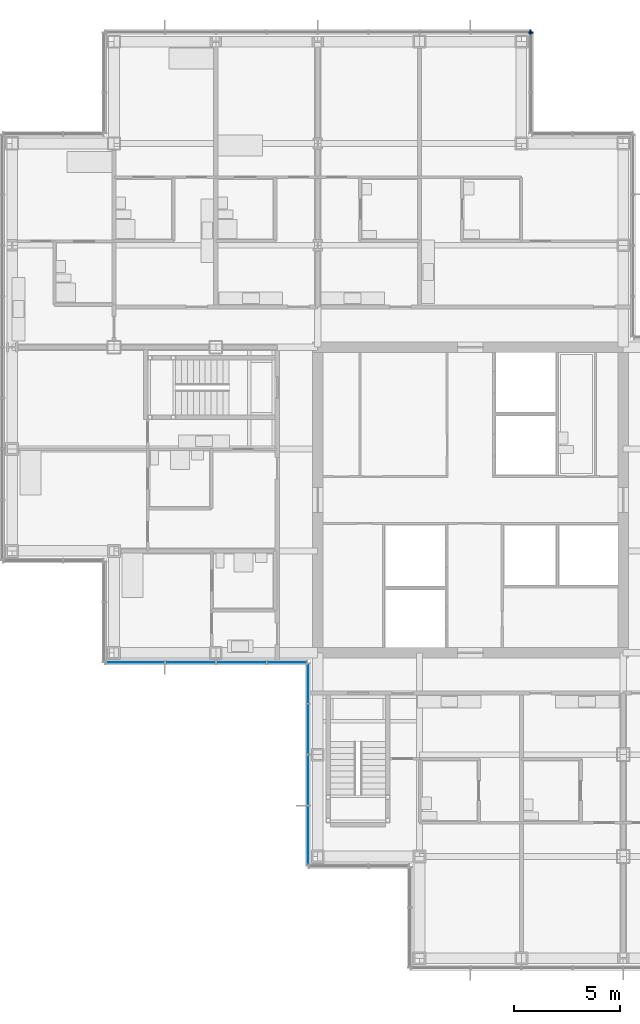
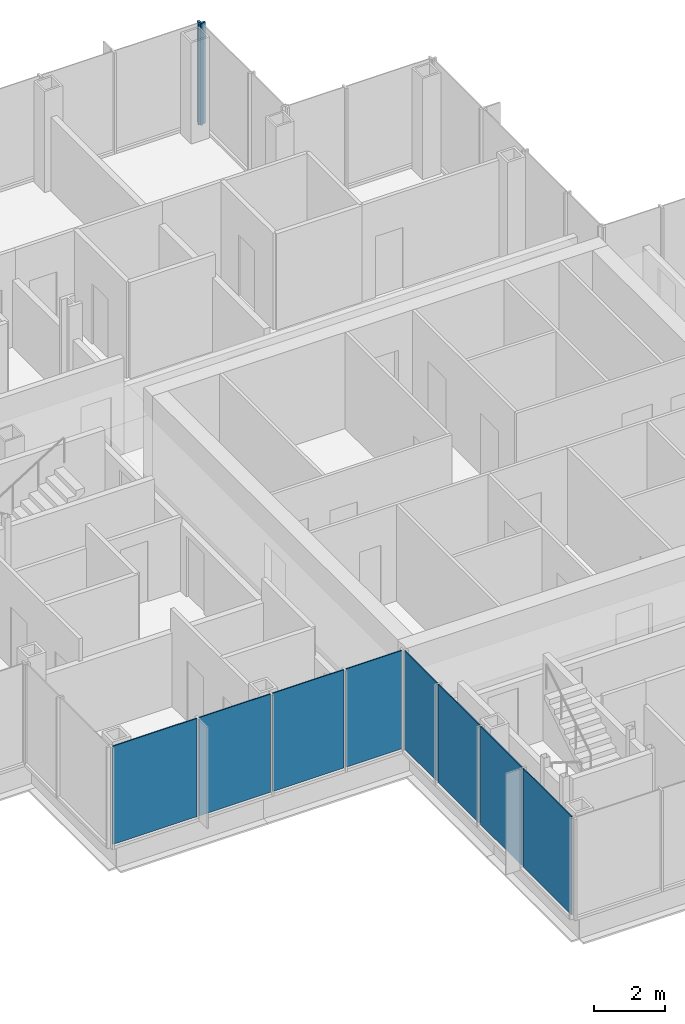
# One storey, part 11 of 20: 8 plates, 2 members, 4 elements without a shape of their own.
"""IFC4 building model written with IfcOpenShell, lengths in metres."""

from ifc_helpers import new_model, si_unit, direction, frame, origin, origin_2d, place, context, subcontext, project, spatial, rectangle, extrude, material, layer, layer_set, material_profile, profile_set, type_object, element, aggregate, save


model = new_model("IFC4")

# Units and contexts
model_context = context("Model", 3, precision=1e-05, world=origin(), true_north=direction((0.0, 1.0)))
body_context = subcontext(model_context, "Body", "Model", "MODEL_VIEW")
ifc_project = project(units=[si_unit("LENGTHUNIT", "METRE"), si_unit("AREAUNIT", "SQUARE_METRE"), si_unit("VOLUMEUNIT", "CUBIC_METRE"), si_unit("PLANEANGLEUNIT", "RADIAN"), si_unit("MASSUNIT", "GRAM", prefix="KILO")], contexts=[model_context])

# Site, building, storey
site_placement = place(None, origin())
site = spatial("IfcSite", under=ifc_project, at=site_placement, CompositionType="ELEMENT")
building_placement = place(site_placement, origin())
building = spatial("IfcBuilding", under=site, at=building_placement, Name="Kvirike Care Tower", CompositionType="ELEMENT")
storey_placement = place(building_placement, frame((0.0, 0.0, 112.0)))
storey = spatial("IfcBuildingStorey", under=building, at=storey_placement, Name="L30", CompositionType="ELEMENT", Elevation=112.0)

# Curtain wall, member
ifc_material_1 = material(Name="Anodised aluminium stick system", Category="aluminium")
curtain_wall_type = type_object("IfcCurtainWallType", Name="CW-B STICK CURTAIN WALL", PredefinedType="NOTDEFINED", material=ifc_material_1)
curtain_wall_1_placement = place(storey_placement, origin())
curtain_wall_1 = element("IfcCurtainWall", 1, at=curtain_wall_1_placement, inside=storey, type_object=curtain_wall_type, Name="Curtain wall L30 face 7", PredefinedType="NOTDEFINED")
ifc_material_2 = material(Name="Bronze anodised aluminium mullion", Category="aluminium")
ifc_material_profile = material_profile(ifc_material_2, rectangle(XDim=0.06494140625, YDim=0.219970703125, at=origin_2d()), Name="CW-B MULLION 65x220")
ifc_profile_set = profile_set([ifc_material_profile], Name="Bronze anodised aluminium mullion")
member_type = type_object("IfcMemberType", Name="CW-B MULLION 65x220", PredefinedType="MULLION", material=ifc_profile_set)
member_1_placement = place(storey_placement, frame((24.4599609375, 58.027587890625, 0.0), z_axis=(0.0, 0.0, 1.0), x_axis=(0.0, 1.0, 0.0)))
member_1 = element("IfcMember", 2, at=member_1_placement, type_object=member_type, Name="CW-B mullion L30 face 7.3", PredefinedType="MULLION", context=body_context, shape_type="SweptSolid", body=[
    extrude(rectangle(XDim=0.06494140625, YDim=0.219970703125, at=origin_2d()), origin(), (0.0, 0.0, 1.0), 3.5),
])
aggregate(curtain_wall_1, [member_1])

curtain_wall_2_placement = place(storey_placement, origin())
curtain_wall_2 = element("IfcCurtainWall", 3, at=curtain_wall_2_placement, inside=storey, type_object=curtain_wall_type, Name="Curtain wall L30 face 8", PredefinedType="NOTDEFINED")
member_2_placement = place(storey_placement, frame((24.427490234375, 58.06005859375, 0.0), z_axis=(0.0, 0.0, 1.0), x_axis=(-1.0, 0.0, 0.0)))
member_2 = element("IfcMember", 4, at=member_2_placement, type_object=member_type, Name="CW-B mullion L30 face 8.1", PredefinedType="MULLION", context=body_context, shape_type="SweptSolid", body=[
    extrude(rectangle(XDim=0.06494140625, YDim=0.219970703125, at=origin_2d()), origin(), (0.0, 0.0, 1.0), 3.5),
])
aggregate(curtain_wall_2, [member_2])

# Curtain wall, plates
curtain_wall_3_placement = place(storey_placement, origin())
curtain_wall_3 = element("IfcCurtainWall", 5, at=curtain_wall_3_placement, inside=storey, type_object=curtain_wall_type, Name="Curtain wall L30 face 14", PredefinedType="NOTDEFINED")
ifc_material_3 = material(Name="Tinted double glazed unit", Category="glass")
ifc_layer = layer(ifc_material_3, 0.035888671875)
ifc_layer_set = layer_set([ifc_layer], Name="TINTED VISION PANEL 36")
plate_type = type_object("IfcPlateType", Name="TINTED VISION PANEL 36", PredefinedType="CURTAIN_PANEL", material=ifc_layer_set)
plate_1_placement = place(storey_placement, frame((5.7861328125, 28.340087890625, 0.10009765625), z_axis=(0.0, 0.0, 1.0), x_axis=(1.0, 0.0, 0.0)))
plate_1 = element("IfcPlate", 6, at=plate_1_placement, type_object=plate_type, Name="CW-B panel L30 face 14.1", PredefinedType="CURTAIN_PANEL", context=body_context, shape_type="SweptSolid", body=[
    extrude(rectangle(XDim=2.762451171875, YDim=0.035888671875, at=origin_2d()), origin(), (0.0, 0.0, 1.0), 3.39990234375),
])
plate_2_placement = place(storey_placement, frame((8.39990234375, 28.340087890625, 0.10009765625), z_axis=(0.0, 0.0, 1.0), x_axis=(1.0, 0.0, 0.0)))
plate_2 = element("IfcPlate", 7, at=plate_2_placement, type_object=plate_type, Name="CW-B panel L30 face 14.2", PredefinedType="CURTAIN_PANEL", context=body_context, shape_type="SweptSolid", body=[
    extrude(rectangle(XDim=2.3349609375, YDim=0.035888671875, at=origin_2d()), origin(), (0.0, 0.0, 1.0), 3.39990234375),
])
plate_3_placement = place(storey_placement, frame((10.800048828125, 28.340087890625, 0.10009765625), z_axis=(0.0, 0.0, 1.0), x_axis=(1.0, 0.0, 0.0)))
plate_3 = element("IfcPlate", 8, at=plate_3_placement, type_object=plate_type, Name="CW-B panel L30 face 14.3", PredefinedType="CURTAIN_PANEL", context=body_context, shape_type="SweptSolid", body=[
    extrude(rectangle(XDim=2.3349609375, YDim=0.035888671875, at=origin_2d()), origin(), (0.0, 0.0, 1.0), 3.39990234375),
])
plate_4_placement = place(storey_placement, frame((12.953857421875, 28.340087890625, 0.10009765625), z_axis=(0.0, 0.0, 1.0), x_axis=(1.0, 0.0, 0.0)))
plate_4 = element("IfcPlate", 9, at=plate_4_placement, type_object=plate_type, Name="CW-B panel L30 face 14.4", PredefinedType="CURTAIN_PANEL", context=body_context, shape_type="SweptSolid", body=[
    extrude(rectangle(XDim=1.842529296875, YDim=0.035888671875, at=origin_2d()), origin(), (0.0, 0.0, 1.0), 3.39990234375),
])
aggregate(curtain_wall_3, [plate_1, plate_2, plate_3, plate_4])

curtain_wall_4_placement = place(storey_placement, origin())
curtain_wall_4 = element("IfcCurtainWall", 10, at=curtain_wall_4_placement, inside=storey, type_object=curtain_wall_type, Name="Curtain wall L30 face 15", PredefinedType="NOTDEFINED")
plate_5_placement = place(storey_placement, frame((13.93994140625, 27.353759765625, 0.10009765625), z_axis=(0.0, 0.0, 1.0), x_axis=(0.0, -1.0, 0.0)))
plate_5 = element("IfcPlate", 11, at=plate_5_placement, type_object=plate_type, Name="CW-B panel L30 face 15.1", PredefinedType="CURTAIN_PANEL", context=body_context, shape_type="SweptSolid", body=[
    extrude(rectangle(XDim=1.842529296875, YDim=0.035888671875, at=origin_2d()), origin(), (0.0, 0.0, 1.0), 3.39990234375),
])
plate_6_placement = place(storey_placement, frame((13.93994140625, 25.199951171875, 0.10009765625), z_axis=(0.0, 0.0, 1.0), x_axis=(0.0, -1.0, 0.0)))
plate_6 = element("IfcPlate", 12, at=plate_6_placement, type_object=plate_type, Name="CW-B panel L30 face 15.2", PredefinedType="CURTAIN_PANEL", context=body_context, shape_type="SweptSolid", body=[
    extrude(rectangle(XDim=2.3349609375, YDim=0.035888671875, at=origin_2d()), origin(), (0.0, 0.0, 1.0), 3.39990234375),
])
plate_7_placement = place(storey_placement, frame((13.93994140625, 22.800048828125, 0.10009765625), z_axis=(0.0, 0.0, 1.0), x_axis=(0.0, -1.0, 0.0)))
plate_7 = element("IfcPlate", 13, at=plate_7_placement, type_object=plate_type, Name="CW-B panel L30 face 15.3", PredefinedType="CURTAIN_PANEL", context=body_context, shape_type="SweptSolid", body=[
    extrude(rectangle(XDim=2.3349609375, YDim=0.035888671875, at=origin_2d()), origin(), (0.0, 0.0, 1.0), 3.39990234375),
])
plate_8_placement = place(storey_placement, frame((13.93994140625, 20.186279296875, 0.10009765625), z_axis=(0.0, 0.0, 1.0), x_axis=(0.0, -1.0, 0.0)))
plate_8 = element("IfcPlate", 14, at=plate_8_placement, type_object=plate_type, Name="CW-B panel L30 face 15.4", PredefinedType="CURTAIN_PANEL", context=body_context, shape_type="SweptSolid", body=[
    extrude(rectangle(XDim=2.762451171875, YDim=0.035888671875, at=origin_2d()), origin(), (0.0, 0.0, 1.0), 3.39990234375),
])
aggregate(curtain_wall_4, [plate_5, plate_6, plate_7, plate_8])

save(model, "model.ifc")
